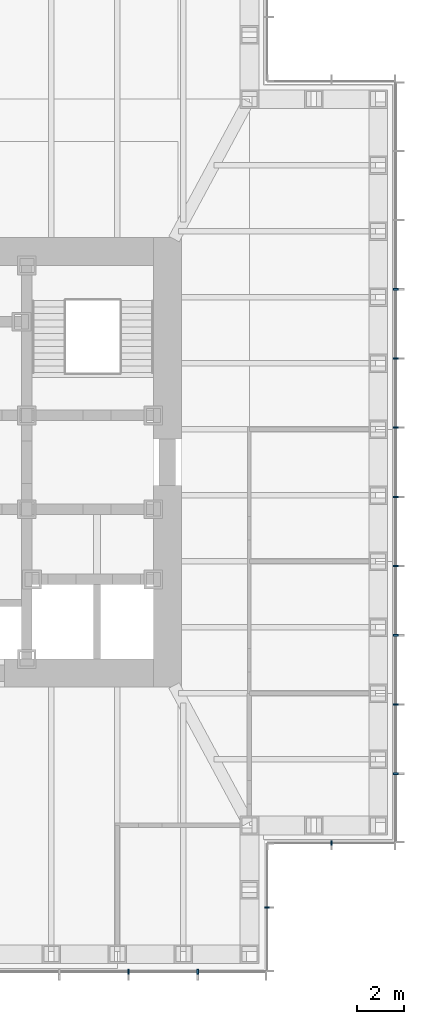
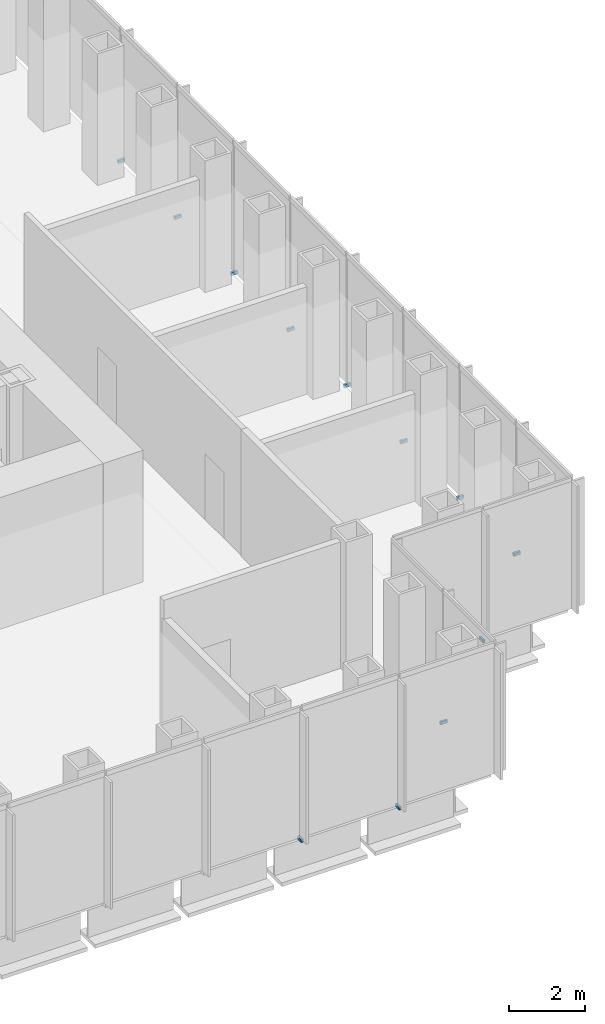
# One storey, part 13 of 16: 12 discrete accessories.
"""IFC4 building model written with IfcOpenShell, lengths in metres."""

import ifcopenshell
import ifcopenshell.guid

model = None  # the IFC model being written
_history = None  # IfcOwnerHistory: only IFC2X3 demands one
_inside = {}  # id of a spatial element -> (the spatial element, [elements in it])
_under = {}  # id of a project, library or spatial element -> (it, [spatial elements below it])
_declared = {}  # id of a project -> (the project, [libraries it declares])
_typed = {}  # id of a type object -> (the type object, [elements of that type])
_made_of = {}  # id of a material, layer set ... -> (it, [elements and type objects made of it])


def new_model(schema):
    """Start an empty IFC model of exactly this schema.

    Asked for "IFC4X3", IfcOpenShell would pick the latest addendum, in which some entities
    have other attributes; the version numbers below select the first issue.
    IFC2X3 requires an IfcOwnerHistory on every rooted entity: one is made here for all.
    """
    global model, _history
    if schema == "IFC4X3":
        model = ifcopenshell.file(schema_version=(4, 3, 0, 0))
    else:
        model = ifcopenshell.file(schema=schema)
    _inside.clear()
    _under.clear()
    _declared.clear()
    _typed.clear()
    _made_of.clear()
    _history = None
    if model.schema == "IFC2X3":
        org = make("IfcOrganization", Name="unknown")
        user = make(
            "IfcPersonAndOrganization",
            ThePerson=make("IfcPerson", FamilyName="unknown"),
            TheOrganization=org,
        )
        app = make(
            "IfcApplication",
            ApplicationDeveloper=org,
            Version="unknown",
            ApplicationFullName="unknown",
            ApplicationIdentifier="unknown",
        )
        _history = make(
            "IfcOwnerHistory",
            OwningUser=user,
            OwningApplication=app,
            ChangeAction="ADDED",
            CreationDate=0,
        )
    return model


def make(cls, **values):
    """One entity of the class cls with the attributes given. An attribute that is None is left unset."""
    return model.create_entity(
        cls, **{name: value for name, value in values.items() if value is not None}
    )


def rooted(cls, **values):
    """An entity with a GlobalId (a new one), such as an element, a storey or a relation."""
    return make(cls, GlobalId=ifcopenshell.guid.new(), OwnerHistory=_history, **values)


def si_unit(unit_type, name, prefix=None):
    """IfcSIUnit, for example si_unit("LENGTHUNIT", "METRE", prefix="MILLI")."""
    return make("IfcSIUnit", UnitType=unit_type, Prefix=prefix, Name=name)


def assignment(units):
    """IfcUnitAssignment: the units of a project."""
    return None if units is None else make("IfcUnitAssignment", Units=units)


def point(xyz):
    """IfcCartesianPoint."""
    return None if xyz is None else make("IfcCartesianPoint", Coordinates=xyz)


def direction(xyz):
    """IfcDirection."""
    return None if xyz is None else make("IfcDirection", DirectionRatios=xyz)


def frame(location, z_axis=None, x_axis=None):
    """IfcAxis2Placement3D, a coordinate frame: its origin and axes. An axis left out is left unset."""
    return make(
        "IfcAxis2Placement3D",
        Location=point(location),
        Axis=direction(z_axis),
        RefDirection=direction(x_axis),
    )


def frame_2d(location, x_axis=None):
    """IfcAxis2Placement2D, a coordinate frame in the plane: its origin and x axis."""
    return make(
        "IfcAxis2Placement2D", Location=point(location), RefDirection=direction(x_axis)
    )


def origin():
    """The frame at (0, 0, 0) with its axes left unset."""
    return frame((0.0, 0.0, 0.0))


def origin_2d():
    """The frame at (0, 0) in the plane with its x axis left unset."""
    return frame_2d((0.0, 0.0))


def place(relative_to, where):
    """IfcLocalPlacement: puts the frame where relative to a parent placement (None: the world)."""
    return make(
        "IfcLocalPlacement", PlacementRelTo=relative_to, RelativePlacement=where
    )


def context(
    kind, dimensions, precision=None, world=None, true_north=None, identifier=None
):
    """IfcGeometricRepresentationContext, for example the 3D "Model" context."""
    return make(
        "IfcGeometricRepresentationContext",
        ContextIdentifier=identifier,
        ContextType=kind,
        CoordinateSpaceDimension=dimensions,
        Precision=precision,
        WorldCoordinateSystem=world,
        TrueNorth=true_north,
    )


def subcontext(parent, identifier, kind, view, scale=None):
    """IfcGeometricRepresentationSubContext, for example "Body" below "Model"."""
    return make(
        "IfcGeometricRepresentationSubContext",
        ContextIdentifier=identifier,
        ContextType=kind,
        ParentContext=parent,
        TargetScale=scale,
        TargetView=view,
    )


def project(units=None, contexts=None):
    """IfcProject with its units and contexts."""
    return rooted(
        "IfcProject",
        Name="project",
        RepresentationContexts=contexts,
        UnitsInContext=assignment(units),
    )


def spatial(cls, under=None, at=None, **own):
    """A site, building, storey or space (cls), placed at a placement, below another one or the project."""
    s = rooted(cls, ObjectPlacement=at, **own)
    if under is not None:
        _under.setdefault(under.id(), (under, []))[1].append(s)
    return s


def profile(cls, at=None, kind="AREA", **sizes):
    """A parametric profile (cls). Its sizes go by their IFC names, for example OverallWidth=200.0."""
    return make(cls, ProfileType=kind, Position=at, **sizes)


def rectangle(**sizes):
    """IfcRectangleProfileDef."""
    return profile("IfcRectangleProfileDef", **sizes)


def extrude(swept, where, along, depth):
    """IfcExtrudedAreaSolid: the profile swept, set in the frame where, extruded along a direction by depth."""
    return make(
        "IfcExtrudedAreaSolid",
        SweptArea=swept,
        Position=where,
        ExtrudedDirection=direction(along),
        Depth=depth,
    )


def shape(context_of_items, identifier, shape_type, items):
    """IfcShapeRepresentation: the items that make up one representation, for example the "Body"."""
    return make(
        "IfcShapeRepresentation",
        ContextOfItems=context_of_items,
        RepresentationIdentifier=identifier,
        RepresentationType=shape_type,
        Items=items,
    )


def made_of(thing, what):
    """Note that an element or type object is made of a material, layer set ...; save() writes the relation."""
    if what is not None:
        _made_of.setdefault(what.id(), (what, []))[1].append(thing)
    return thing


def element(
    cls,
    number,
    at=None,
    inside=None,
    cuts=None,
    type_object=None,
    material=None,
    context=None,
    identifier="Body",
    shape_type=None,
    held_by="IfcProductDefinitionShape",
    body=None,
    shapes=None,
    **own,
):
    """One element of the class cls, such as IfcWall. Its Tag is "e" and its number.

    at: its placement. inside: the storey or other place that contains it. cuts: it is an
    opening in that element (IfcRelVoidsElement). A single representation is given by context,
    identifier, shape_type and body (its items); several are given by shapes. held_by: the class
    of the entity that holds the representations. save() writes the other relations.
    """
    e = rooted(cls, Tag="e%d" % number, ObjectPlacement=at, **own)
    if body is not None:
        shapes = [shape(context, identifier, shape_type, body)]
    if shapes is not None:
        e.Representation = make(held_by, Representations=shapes)
    if inside is not None:
        _inside.setdefault(inside.id(), (inside, []))[1].append(e)
    if cuts is not None:
        rooted(
            "IfcRelVoidsElement", RelatingBuildingElement=cuts, RelatedOpeningElement=e
        )
    if type_object is not None:
        _typed.setdefault(type_object.id(), (type_object, []))[1].append(e)
    return made_of(e, material)


def aggregate(whole, parts):
    """IfcRelAggregates: a whole, such as a stair, and the parts it consists of."""
    return rooted("IfcRelAggregates", RelatingObject=whole, RelatedObjects=parts)


def save(model, path):
    """Write the relations noted so far, then the file.

    IfcRelAggregates (storeys below a building ...), IfcRelContainedInSpatialStructure (elements
    in a storey), IfcRelDefinesByType, IfcRelAssociatesMaterial and IfcRelDeclares: one each for
    every whole, place, type object, material and project.
    """
    for whole, parts in _under.values():
        aggregate(whole, parts)
    for where, things in _inside.values():
        rooted(
            "IfcRelContainedInSpatialStructure",
            RelatedElements=things,
            RelatingStructure=where,
        )
    for kind, things in _typed.values():
        rooted("IfcRelDefinesByType", RelatedObjects=things, RelatingType=kind)
    for what, things in _made_of.values():
        rooted("IfcRelAssociatesMaterial", RelatedObjects=things, RelatingMaterial=what)
    for by, libraries in _declared.values():
        rooted("IfcRelDeclares", RelatingContext=by, RelatedDefinitions=libraries)
    model.write(path)


model = new_model("IFC4")

# Units and contexts
model_context = context("Model", 3, precision=1e-05, world=origin(), true_north=direction((0.0, 1.0)))
body_context = subcontext(model_context, "Body", "Model", "MODEL_VIEW")
ifc_project = project(units=[si_unit("LENGTHUNIT", "METRE"), si_unit("AREAUNIT", "SQUARE_METRE"), si_unit("VOLUMEUNIT", "CUBIC_METRE"), si_unit("PLANEANGLEUNIT", "RADIAN"), si_unit("MASSUNIT", "GRAM", prefix="KILO")], contexts=[model_context])

# Site, building, storey
site_placement = place(None, origin())
site = spatial("IfcSite", under=ifc_project, at=site_placement, CompositionType="ELEMENT")
building_placement = place(site_placement, origin())
building = spatial("IfcBuilding", under=site, at=building_placement, Name="Daluyong Arena Tower", CompositionType="ELEMENT")
storey_placement = place(building_placement, frame((0.0, 0.0, 235.89990234375)))
storey = spatial("IfcBuildingStorey", under=building, at=storey_placement, Name="L53", CompositionType="ELEMENT", Elevation=235.89990234375)

# Discrete accessories
for number, where, z_axis, x_axis, name in (
    (1, (66.3408203125, 58.25, -0.099853515625), (0.0, 0.0, 1.0), (1.0, 0.0, 0.0), "curtain wall L53 S anchor bracket 10"),
    (2, (69.29541015625, 58.25, -0.099853515625), (0.0, 0.0, 1.0), (1.0, 0.0, 0.0), "curtain wall L53 S anchor bracket 11"),
):
    element("IfcDiscreteAccessory", number, at=place(storey_placement, frame(where, z_axis=z_axis, x_axis=x_axis)), inside=storey, Name=name, PredefinedType="BRACKET", context=body_context, shape_type="SweptSolid", body=[
        extrude(rectangle(XDim=0.070068359375, YDim=0.199951171875, at=origin_2d()), origin(), (0.0, 0.0, 1.0), 0.10009765625),
    ])
for number, where, z_axis, x_axis, name in (
    (3, (72.25, 61.0, -0.099853515625), (0.0, 0.0, 1.0), (0.0, 1.0, 0.0), "curtain wall L53 SE-E anchor bracket 2"),
    (4, (75.0, 63.75, -0.099853515625), (0.0, 0.0, 1.0), (1.0, 0.0, 0.0), "curtain wall L53 SE-S anchor bracket 2"),
):
    element("IfcDiscreteAccessory", number, at=place(storey_placement, frame(where, z_axis=z_axis, x_axis=x_axis)), inside=storey, Name=name, PredefinedType="BRACKET", context=body_context, shape_type="SweptSolid", body=[
        extrude(rectangle(XDim=0.06005859375, YDim=0.199951171875, at=origin_2d()), origin(), (0.0, 0.0, 1.0), 0.10009765625),
    ])
for number, where, z_axis, x_axis, name in (
    (5, (77.75, 66.70458984375, -0.099853515625), (0.0, 0.0, 1.0), (0.0, 1.0, 0.0), "curtain wall L53 E anchor bracket 2"),
    (6, (77.75, 69.6591796875, -0.099853515625), (0.0, 0.0, 1.0), (0.0, 1.0, 0.0), "curtain wall L53 E anchor bracket 3"),
    (7, (77.75, 72.613525390625, -0.099853515625), (0.0, 0.0, 1.0), (0.0, 1.0, 0.0), "curtain wall L53 E anchor bracket 4"),
    (8, (77.75, 75.568115234375, -0.099853515625), (0.0, 0.0, 1.0), (0.0, 1.0, 0.0), "curtain wall L53 E anchor bracket 5"),
    (9, (77.75, 78.522705078125, -0.099853515625), (0.0, 0.0, 1.0), (0.0, 1.0, 0.0), "curtain wall L53 E anchor bracket 6"),
    (10, (77.75, 81.477294921875, -0.099853515625), (0.0, 0.0, 1.0), (0.0, 1.0, 0.0), "curtain wall L53 E anchor bracket 7"),
    (11, (77.75, 84.431884765625, -0.099853515625), (0.0, 0.0, 1.0), (0.0, 1.0, 0.0), "curtain wall L53 E anchor bracket 8"),
    (12, (77.75, 87.386474609375, -0.099853515625), (0.0, 0.0, 1.0), (0.0, 1.0, 0.0), "curtain wall L53 E anchor bracket 9"),
):
    element("IfcDiscreteAccessory", number, at=place(storey_placement, frame(where, z_axis=z_axis, x_axis=x_axis)), inside=storey, Name=name, PredefinedType="BRACKET", context=body_context, shape_type="SweptSolid", body=[
        extrude(rectangle(XDim=0.070068359375, YDim=0.199951171875, at=origin_2d()), origin(), (0.0, 0.0, 1.0), 0.10009765625),
    ])

save(model, "model.ifc")
